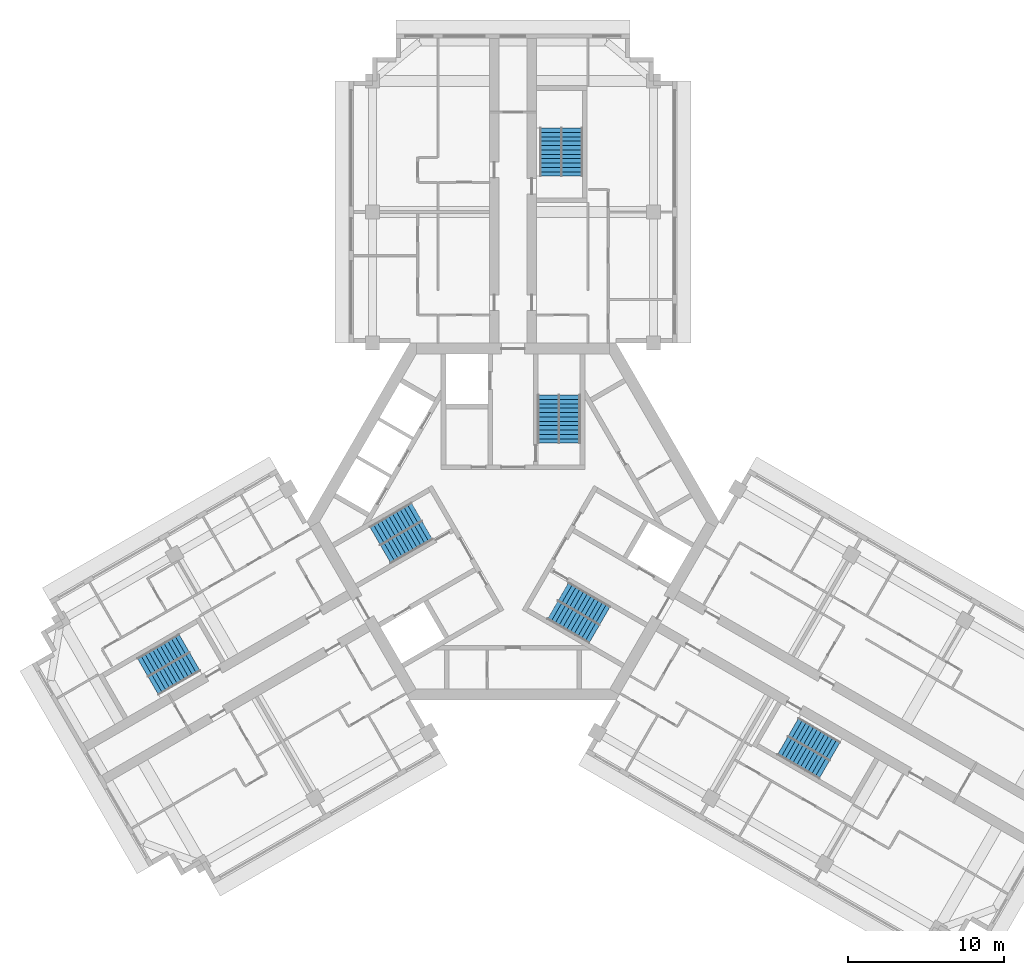
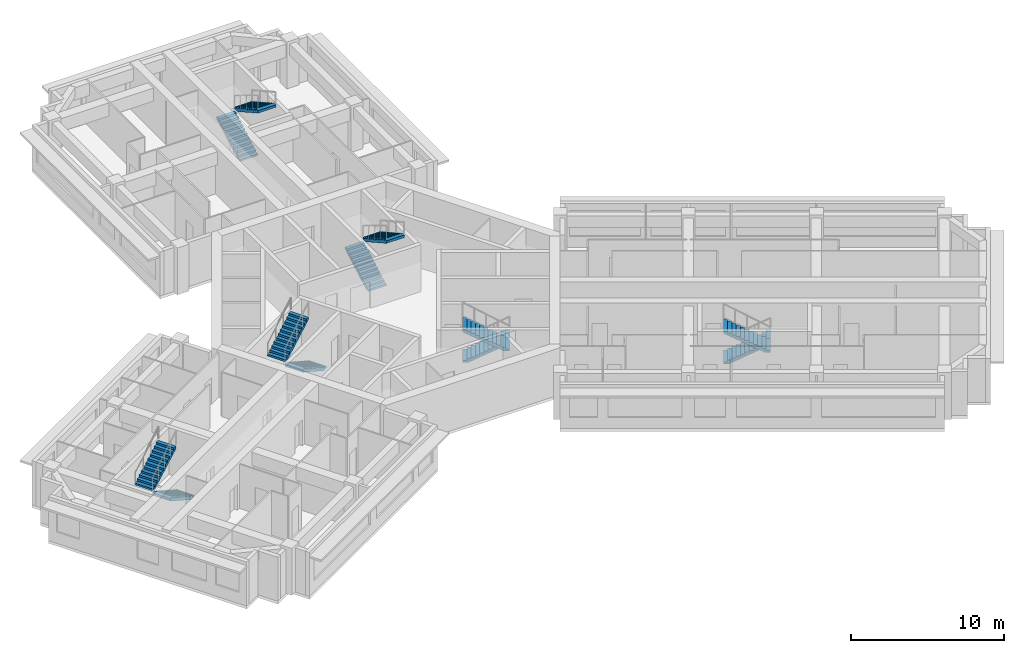
# One storey, part 9 of 10: 12 stair flights, 6 elements without a shape of their own.
"""IFC4 building model written with IfcOpenShell, lengths in metres."""

from ifc_helpers import new_model, si_unit, direction, frame, origin, place, context, subcontext, project, spatial, polyline, outline, extrude, material, type_object, element, aggregate, save


model = new_model("IFC4")

# Units and contexts
model_context = context("Model", 3, precision=1e-05, world=origin(), true_north=direction((0.0, 1.0)))
body_context = subcontext(model_context, "Body", "Model", "MODEL_VIEW")
ifc_project = project(units=[si_unit("LENGTHUNIT", "METRE"), si_unit("AREAUNIT", "SQUARE_METRE"), si_unit("VOLUMEUNIT", "CUBIC_METRE"), si_unit("PLANEANGLEUNIT", "RADIAN"), si_unit("MASSUNIT", "GRAM", prefix="KILO")], contexts=[model_context])

# Site, building, storey
site_placement = place(None, origin())
site = spatial("IfcSite", under=ifc_project, at=site_placement, CompositionType="ELEMENT")
building_placement = place(site_placement, origin())
building = spatial("IfcBuilding", under=site, at=building_placement, Name="Impinga Residences", CompositionType="ELEMENT")
storey_placement = place(building_placement, frame((0.0, 0.0, 222.25)))
storey = spatial("IfcBuildingStorey", under=building, at=storey_placement, Name="L55", CompositionType="ELEMENT", Elevation=222.25)

# Stair, stair flights
ifc_material = material(Name="Concrete C40/50", Category="concrete")
stair_type_1 = type_object("IfcStairType", Name="STR core stair 3750 storey, 24 risers", PredefinedType="HALF_TURN_STAIR", material=ifc_material)
stair_1_placement = place(storey_placement, origin())
stair_1 = element("IfcStair", 1, at=stair_1_placement, inside=storey, type_object=stair_type_1, Name="Stair ST1 L55", PredefinedType="HALF_TURN_STAIR")
stair_flight_type = type_object("IfcStairFlightType", Name="SF 12 risers of 156", PredefinedType="STRAIGHT", material=ifc_material)
stair_flight_1_placement = place(storey_placement, frame((2.27490234375, 5.030029296875, 0.0), z_axis=(0.0, 0.0, 1.0), x_axis=(0.0, 1.0, 0.0)))
stair_flight_1 = element("IfcStairFlight", 2, at=stair_flight_1_placement, type_object=stair_flight_type, Name="ST1 flight 1", NumberOfRisers=12, NumberOfTreads=11, PredefinedType="STRAIGHT", RiserHeight=0.15625, TreadLength=0.28, context=body_context, shape_type="SweptSolid", body=[
    extrude(outline(polyline([(0.0, 0.0), (0.0, 0.15625), (0.280029296875, 0.15625), (0.280029296875, 0.3125), (0.56005859375, 0.3125), (0.56005859375, 0.46875), (0.840087890625, 0.46875), (0.840087890625, 0.625), (1.1201171875, 0.625), (1.1201171875, 0.78125), (1.39990234375, 0.78125), (1.39990234375, 0.9375), (1.679931640625, 0.9375), (1.679931640625, 1.09375), (1.9599609375, 1.09375), (1.9599609375, 1.25), (2.239990234375, 1.25), (2.239990234375, 1.40625), (2.52001953125, 1.40625), (2.52001953125, 1.5625), (2.800048828125, 1.5625), (2.800048828125, 1.71875), (3.080078125, 1.71875), (3.080078125, 1.875), (3.080078125, 1.5126953125), (0.369140625, 0.0), (0.0, 0.0)])), frame((0.0, 0.675048828125, 0.0), z_axis=(0.0, -1.0, 0.0), x_axis=(1.0, 0.0, 0.0)), (0.0, 0.0, 1.0), 1.35009765625),
])
stair_flight_2_placement = place(storey_placement, frame((3.625, 8.110107421875, 1.875), z_axis=(0.0, 0.0, 1.0), x_axis=(0.0, -1.0, 0.0)))
stair_flight_2 = element("IfcStairFlight", 3, at=stair_flight_2_placement, type_object=stair_flight_type, Name="ST1 flight 2", NumberOfRisers=12, NumberOfTreads=11, PredefinedType="STRAIGHT", RiserHeight=0.15625, TreadLength=0.28, context=body_context, shape_type="SweptSolid", body=[
    extrude(outline(polyline([(0.0, 0.0), (0.0, 0.15625), (0.280029296875, 0.15625), (0.280029296875, 0.3125), (0.56005859375, 0.3125), (0.56005859375, 0.46875), (0.840087890625, 0.46875), (0.840087890625, 0.625), (1.1201171875, 0.625), (1.1201171875, 0.78125), (1.39990234375, 0.78125), (1.39990234375, 0.9375), (1.679931640625, 0.9375), (1.679931640625, 1.09375), (1.9599609375, 1.09375), (1.9599609375, 1.25), (2.239990234375, 1.25), (2.239990234375, 1.40625), (2.52001953125, 1.40625), (2.52001953125, 1.5625), (2.800048828125, 1.5625), (2.800048828125, 1.71875), (3.080078125, 1.71875), (3.080078125, 1.875), (3.080078125, 1.5126953125), (0.369140625, 0.0), (0.0, 0.0)])), frame((0.0, 0.675048828125, 0.0), z_axis=(0.0, -1.0, 0.0), x_axis=(1.0, 0.0, 0.0)), (0.0, 0.0, 1.0), 1.35009765625),
])
aggregate(stair_1, [stair_flight_1, stair_flight_2])

stair_2_placement = place(storey_placement, origin())
stair_2 = element("IfcStair", 4, at=stair_2_placement, inside=storey, type_object=stair_type_1, Name="Stair ST2 L55", PredefinedType="HALF_TURN_STAIR")
stair_flight_3_placement = place(storey_placement, frame((-5.49365234375, -0.544677734375, 0.0), z_axis=(0.0, 0.0, 1.0), x_axis=(-0.866025403784, -0.5, 0.0)))
stair_flight_3 = element("IfcStairFlight", 5, at=stair_flight_3_placement, type_object=stair_flight_type, Name="ST2 flight 1", NumberOfRisers=12, NumberOfTreads=11, PredefinedType="STRAIGHT", RiserHeight=0.15625, TreadLength=0.28, context=body_context, shape_type="SweptSolid", body=[
    extrude(outline(polyline([(0.0, 0.0), (0.0, 0.15625), (0.280029296875, 0.15625), (0.280029296875, 0.3125), (0.56005859375, 0.3125), (0.56005859375, 0.46875), (0.840087890625, 0.46875), (0.840087890625, 0.625), (1.1201171875, 0.625), (1.1201171875, 0.78125), (1.39990234375, 0.78125), (1.39990234375, 0.9375), (1.679931640625, 0.9375), (1.679931640625, 1.09375), (1.9599609375, 1.09375), (1.9599609375, 1.25), (2.239990234375, 1.25), (2.239990234375, 1.40625), (2.52001953125, 1.40625), (2.52001953125, 1.5625), (2.800048828125, 1.5625), (2.800048828125, 1.71875), (3.080078125, 1.71875), (3.080078125, 1.875), (3.080078125, 1.5126953125), (0.369140625, 0.0), (0.0, 0.0)])), frame((0.0, 0.675048828125, 0.0), z_axis=(0.0, -1.0, 0.0), x_axis=(1.0, 0.0, 0.0)), (0.0, 0.0, 1.0), 1.35009765625),
])
stair_flight_4_placement = place(storey_placement, frame((-8.8359375, -0.915771484375, 1.875), z_axis=(0.0, 0.0, 1.0), x_axis=(0.866025403784, 0.5, 0.0)))
stair_flight_4 = element("IfcStairFlight", 6, at=stair_flight_4_placement, type_object=stair_flight_type, Name="ST2 flight 2", NumberOfRisers=12, NumberOfTreads=11, PredefinedType="STRAIGHT", RiserHeight=0.15625, TreadLength=0.28, context=body_context, shape_type="SweptSolid", body=[
    extrude(outline(polyline([(0.0, 0.0), (0.0, 0.15625), (0.280029296875, 0.15625), (0.280029296875, 0.3125), (0.56005859375, 0.3125), (0.56005859375, 0.46875), (0.840087890625, 0.46875), (0.840087890625, 0.625), (1.1201171875, 0.625), (1.1201171875, 0.78125), (1.39990234375, 0.78125), (1.39990234375, 0.9375), (1.679931640625, 0.9375), (1.679931640625, 1.09375), (1.9599609375, 1.09375), (1.9599609375, 1.25), (2.239990234375, 1.25), (2.239990234375, 1.40625), (2.52001953125, 1.40625), (2.52001953125, 1.5625), (2.800048828125, 1.5625), (2.800048828125, 1.71875), (3.080078125, 1.71875), (3.080078125, 1.875), (3.080078125, 1.5126953125), (0.369140625, 0.0), (0.0, 0.0)])), frame((0.0, 0.675048828125, 0.0), z_axis=(0.0, -1.0, 0.0), x_axis=(1.0, 0.0, 0.0)), (0.0, 0.0, 1.0), 1.35009765625),
])
aggregate(stair_2, [stair_flight_3, stair_flight_4])

stair_3_placement = place(storey_placement, origin())
stair_3 = element("IfcStair", 7, at=stair_3_placement, inside=storey, type_object=stair_type_1, Name="Stair ST3 L55", PredefinedType="HALF_TURN_STAIR")
stair_flight_5_placement = place(storey_placement, frame((3.218505859375, -4.485107421875, 0.0), z_axis=(0.0, 0.0, 1.0), x_axis=(0.866025403784, -0.5, 0.0)))
stair_flight_5 = element("IfcStairFlight", 8, at=stair_flight_5_placement, type_object=stair_flight_type, Name="ST3 flight 1", NumberOfRisers=12, NumberOfTreads=11, PredefinedType="STRAIGHT", RiserHeight=0.15625, TreadLength=0.28, context=body_context, shape_type="SweptSolid", body=[
    extrude(outline(polyline([(0.0, 0.0), (0.0, 0.15625), (0.280029296875, 0.15625), (0.280029296875, 0.3125), (0.56005859375, 0.3125), (0.56005859375, 0.46875), (0.840087890625, 0.46875), (0.840087890625, 0.625), (1.1201171875, 0.625), (1.1201171875, 0.78125), (1.39990234375, 0.78125), (1.39990234375, 0.9375), (1.679931640625, 0.9375), (1.679931640625, 1.09375), (1.9599609375, 1.09375), (1.9599609375, 1.25), (2.239990234375, 1.25), (2.239990234375, 1.40625), (2.52001953125, 1.40625), (2.52001953125, 1.5625), (2.800048828125, 1.5625), (2.800048828125, 1.71875), (3.080078125, 1.71875), (3.080078125, 1.875), (3.080078125, 1.5126953125), (0.369140625, 0.0), (0.0, 0.0)])), frame((0.0, 0.675048828125, 0.0), z_axis=(0.0, -1.0, 0.0), x_axis=(1.0, 0.0, 0.0)), (0.0, 0.0, 1.0), 1.35009765625),
])
stair_flight_6_placement = place(storey_placement, frame((5.2109375, -7.1943359375, 1.875), z_axis=(0.0, 0.0, 1.0), x_axis=(-0.866025403784, 0.5, 0.0)))
stair_flight_6 = element("IfcStairFlight", 9, at=stair_flight_6_placement, type_object=stair_flight_type, Name="ST3 flight 2", NumberOfRisers=12, NumberOfTreads=11, PredefinedType="STRAIGHT", RiserHeight=0.15625, TreadLength=0.28, context=body_context, shape_type="SweptSolid", body=[
    extrude(outline(polyline([(0.0, 0.0), (0.0, 0.15625), (0.280029296875, 0.15625), (0.280029296875, 0.3125), (0.56005859375, 0.3125), (0.56005859375, 0.46875), (0.840087890625, 0.46875), (0.840087890625, 0.625), (1.1201171875, 0.625), (1.1201171875, 0.78125), (1.39990234375, 0.78125), (1.39990234375, 0.9375), (1.679931640625, 0.9375), (1.679931640625, 1.09375), (1.9599609375, 1.09375), (1.9599609375, 1.25), (2.239990234375, 1.25), (2.239990234375, 1.40625), (2.52001953125, 1.40625), (2.52001953125, 1.5625), (2.800048828125, 1.5625), (2.800048828125, 1.71875), (3.080078125, 1.71875), (3.080078125, 1.875), (3.080078125, 1.5126953125), (0.369140625, 0.0), (0.0, 0.0)])), frame((0.0, 0.675048828125, 0.0), z_axis=(0.0, -1.0, 0.0), x_axis=(1.0, 0.0, 0.0)), (0.0, 0.0, 1.0), 1.35009765625),
])
aggregate(stair_3, [stair_flight_5, stair_flight_6])

stair_type_2 = type_object("IfcStairType", Name="STR wing stair 3750 storey, 24 risers", PredefinedType="HALF_TURN_STAIR", material=ifc_material)
stair_4_placement = place(storey_placement, origin())
stair_4 = element("IfcStair", 10, at=stair_4_placement, inside=storey, type_object=stair_type_2, Name="Stair WS1 L55", PredefinedType="HALF_TURN_STAIR")
stair_flight_7_placement = place(storey_placement, frame((2.425048828125, 22.131591796875, 0.0), z_axis=(0.0, 0.0, 1.0), x_axis=(0.0, 1.0, 0.0)))
stair_flight_7 = element("IfcStairFlight", 11, at=stair_flight_7_placement, type_object=stair_flight_type, Name="WS1 flight 1", NumberOfRisers=12, NumberOfTreads=11, PredefinedType="STRAIGHT", RiserHeight=0.15625, TreadLength=0.28, context=body_context, shape_type="SweptSolid", body=[
    extrude(outline(polyline([(0.0, 0.0), (0.0, 0.15625), (0.280029296875, 0.15625), (0.280029296875, 0.3125), (0.56005859375, 0.3125), (0.56005859375, 0.46875), (0.840087890625, 0.46875), (0.840087890625, 0.625), (1.1201171875, 0.625), (1.1201171875, 0.78125), (1.39990234375, 0.78125), (1.39990234375, 0.9375), (1.679931640625, 0.9375), (1.679931640625, 1.09375), (1.9599609375, 1.09375), (1.9599609375, 1.25), (2.239990234375, 1.25), (2.239990234375, 1.40625), (2.52001953125, 1.40625), (2.52001953125, 1.5625), (2.800048828125, 1.5625), (2.800048828125, 1.71875), (3.080078125, 1.71875), (3.080078125, 1.875), (3.080078125, 1.5126953125), (0.369140625, 0.0), (0.0, 0.0)])), frame((0.0, 0.675048828125, 0.0), z_axis=(0.0, -1.0, 0.0), x_axis=(1.0, 0.0, 0.0)), (0.0, 0.0, 1.0), 1.35009765625),
])
stair_flight_8_placement = place(storey_placement, frame((3.77490234375, 25.21142578125, 1.875), z_axis=(0.0, 0.0, 1.0), x_axis=(0.0, -1.0, 0.0)))
stair_flight_8 = element("IfcStairFlight", 12, at=stair_flight_8_placement, type_object=stair_flight_type, Name="WS1 flight 2", NumberOfRisers=12, NumberOfTreads=11, PredefinedType="STRAIGHT", RiserHeight=0.15625, TreadLength=0.28, context=body_context, shape_type="SweptSolid", body=[
    extrude(outline(polyline([(0.0, 0.0), (0.0, 0.15625), (0.280029296875, 0.15625), (0.280029296875, 0.3125), (0.56005859375, 0.3125), (0.56005859375, 0.46875), (0.840087890625, 0.46875), (0.840087890625, 0.625), (1.1201171875, 0.625), (1.1201171875, 0.78125), (1.39990234375, 0.78125), (1.39990234375, 0.9375), (1.679931640625, 0.9375), (1.679931640625, 1.09375), (1.9599609375, 1.09375), (1.9599609375, 1.25), (2.239990234375, 1.25), (2.239990234375, 1.40625), (2.52001953125, 1.40625), (2.52001953125, 1.5625), (2.800048828125, 1.5625), (2.800048828125, 1.71875), (3.080078125, 1.71875), (3.080078125, 1.875), (3.080078125, 1.5126953125), (0.369140625, 0.0), (0.0, 0.0)])), frame((0.0, 0.675048828125, 0.0), z_axis=(0.0, -1.0, 0.0), x_axis=(1.0, 0.0, 0.0)), (0.0, 0.0, 1.0), 1.35009765625),
])
aggregate(stair_4, [stair_flight_7, stair_flight_8])

stair_5_placement = place(storey_placement, origin())
stair_5 = element("IfcStair", 13, at=stair_5_placement, inside=storey, type_object=stair_type_2, Name="Stair WS2 L55", PredefinedType="HALF_TURN_STAIR")
stair_flight_9_placement = place(storey_placement, frame((-20.37890625, -8.965576171875, 0.0), z_axis=(0.0, 0.0, 1.0), x_axis=(-0.866025403784, -0.5, 0.0)))
stair_flight_9 = element("IfcStairFlight", 14, at=stair_flight_9_placement, type_object=stair_flight_type, Name="WS2 flight 1", NumberOfRisers=12, NumberOfTreads=11, PredefinedType="STRAIGHT", RiserHeight=0.15625, TreadLength=0.28, context=body_context, shape_type="SweptSolid", body=[
    extrude(outline(polyline([(0.0, 0.0), (0.0, 0.15625), (0.280029296875, 0.15625), (0.280029296875, 0.3125), (0.56005859375, 0.3125), (0.56005859375, 0.46875), (0.840087890625, 0.46875), (0.840087890625, 0.625), (1.1201171875, 0.625), (1.1201171875, 0.78125), (1.39990234375, 0.78125), (1.39990234375, 0.9375), (1.679931640625, 0.9375), (1.679931640625, 1.09375), (1.9599609375, 1.09375), (1.9599609375, 1.25), (2.239990234375, 1.25), (2.239990234375, 1.40625), (2.52001953125, 1.40625), (2.52001953125, 1.5625), (2.800048828125, 1.5625), (2.800048828125, 1.71875), (3.080078125, 1.71875), (3.080078125, 1.875), (3.080078125, 1.5126953125), (0.369140625, 0.0), (0.0, 0.0)])), frame((0.0, 0.675048828125, 0.0), z_axis=(0.0, -1.0, 0.0), x_axis=(1.0, 0.0, 0.0)), (0.0, 0.0, 1.0), 1.35009765625),
])
stair_flight_10_placement = place(storey_placement, frame((-23.721435546875, -9.33642578125, 1.875), z_axis=(0.0, 0.0, 1.0), x_axis=(0.866025403784, 0.5, 0.0)))
stair_flight_10 = element("IfcStairFlight", 15, at=stair_flight_10_placement, type_object=stair_flight_type, Name="WS2 flight 2", NumberOfRisers=12, NumberOfTreads=11, PredefinedType="STRAIGHT", RiserHeight=0.15625, TreadLength=0.28, context=body_context, shape_type="SweptSolid", body=[
    extrude(outline(polyline([(0.0, 0.0), (0.0, 0.15625), (0.280029296875, 0.15625), (0.280029296875, 0.3125), (0.56005859375, 0.3125), (0.56005859375, 0.46875), (0.840087890625, 0.46875), (0.840087890625, 0.625), (1.1201171875, 0.625), (1.1201171875, 0.78125), (1.39990234375, 0.78125), (1.39990234375, 0.9375), (1.679931640625, 0.9375), (1.679931640625, 1.09375), (1.9599609375, 1.09375), (1.9599609375, 1.25), (2.239990234375, 1.25), (2.239990234375, 1.40625), (2.52001953125, 1.40625), (2.52001953125, 1.5625), (2.800048828125, 1.5625), (2.800048828125, 1.71875), (3.080078125, 1.71875), (3.080078125, 1.875), (3.080078125, 1.5126953125), (0.369140625, 0.0), (0.0, 0.0)])), frame((0.0, 0.675048828125, 0.0), z_axis=(0.0, -1.0, 0.0), x_axis=(1.0, 0.0, 0.0)), (0.0, 0.0, 1.0), 1.35009765625),
])
aggregate(stair_5, [stair_flight_9, stair_flight_10])

stair_6_placement = place(storey_placement, origin())
stair_6 = element("IfcStair", 16, at=stair_6_placement, inside=storey, type_object=stair_type_2, Name="Stair WS3 L55", PredefinedType="HALF_TURN_STAIR")
stair_flight_11_placement = place(storey_placement, frame((17.953857421875, -13.165771484375, 0.0), z_axis=(0.0, 0.0, 1.0), x_axis=(0.866025403784, -0.5, 0.0)))
stair_flight_11 = element("IfcStairFlight", 17, at=stair_flight_11_placement, type_object=stair_flight_type, Name="WS3 flight 1", NumberOfRisers=12, NumberOfTreads=11, PredefinedType="STRAIGHT", RiserHeight=0.15625, TreadLength=0.28, context=body_context, shape_type="SweptSolid", body=[
    extrude(outline(polyline([(0.0, 0.0), (0.0, 0.15625), (0.280029296875, 0.15625), (0.280029296875, 0.3125), (0.56005859375, 0.3125), (0.56005859375, 0.46875), (0.840087890625, 0.46875), (0.840087890625, 0.625), (1.1201171875, 0.625), (1.1201171875, 0.78125), (1.39990234375, 0.78125), (1.39990234375, 0.9375), (1.679931640625, 0.9375), (1.679931640625, 1.09375), (1.9599609375, 1.09375), (1.9599609375, 1.25), (2.239990234375, 1.25), (2.239990234375, 1.40625), (2.52001953125, 1.40625), (2.52001953125, 1.5625), (2.800048828125, 1.5625), (2.800048828125, 1.71875), (3.080078125, 1.71875), (3.080078125, 1.875), (3.080078125, 1.5126953125), (0.369140625, 0.0), (0.0, 0.0)])), frame((0.0, 0.675048828125, 0.0), z_axis=(0.0, -1.0, 0.0), x_axis=(1.0, 0.0, 0.0)), (0.0, 0.0, 1.0), 1.35009765625),
])
stair_flight_12_placement = place(storey_placement, frame((19.9462890625, -15.875, 1.875), z_axis=(0.0, 0.0, 1.0), x_axis=(-0.866025403784, 0.5, 0.0)))
stair_flight_12 = element("IfcStairFlight", 18, at=stair_flight_12_placement, type_object=stair_flight_type, Name="WS3 flight 2", NumberOfRisers=12, NumberOfTreads=11, PredefinedType="STRAIGHT", RiserHeight=0.15625, TreadLength=0.28, context=body_context, shape_type="SweptSolid", body=[
    extrude(outline(polyline([(0.0, 0.0), (0.0, 0.15625), (0.280029296875, 0.15625), (0.280029296875, 0.3125), (0.56005859375, 0.3125), (0.56005859375, 0.46875), (0.840087890625, 0.46875), (0.840087890625, 0.625), (1.1201171875, 0.625), (1.1201171875, 0.78125), (1.39990234375, 0.78125), (1.39990234375, 0.9375), (1.679931640625, 0.9375), (1.679931640625, 1.09375), (1.9599609375, 1.09375), (1.9599609375, 1.25), (2.239990234375, 1.25), (2.239990234375, 1.40625), (2.52001953125, 1.40625), (2.52001953125, 1.5625), (2.800048828125, 1.5625), (2.800048828125, 1.71875), (3.080078125, 1.71875), (3.080078125, 1.875), (3.080078125, 1.5126953125), (0.369140625, 0.0), (0.0, 0.0)])), frame((0.0, 0.675048828125, 0.0), z_axis=(0.0, -1.0, 0.0), x_axis=(1.0, 0.0, 0.0)), (0.0, 0.0, 1.0), 1.35009765625),
])
aggregate(stair_6, [stair_flight_11, stair_flight_12])

save(model, "model.ifc")
